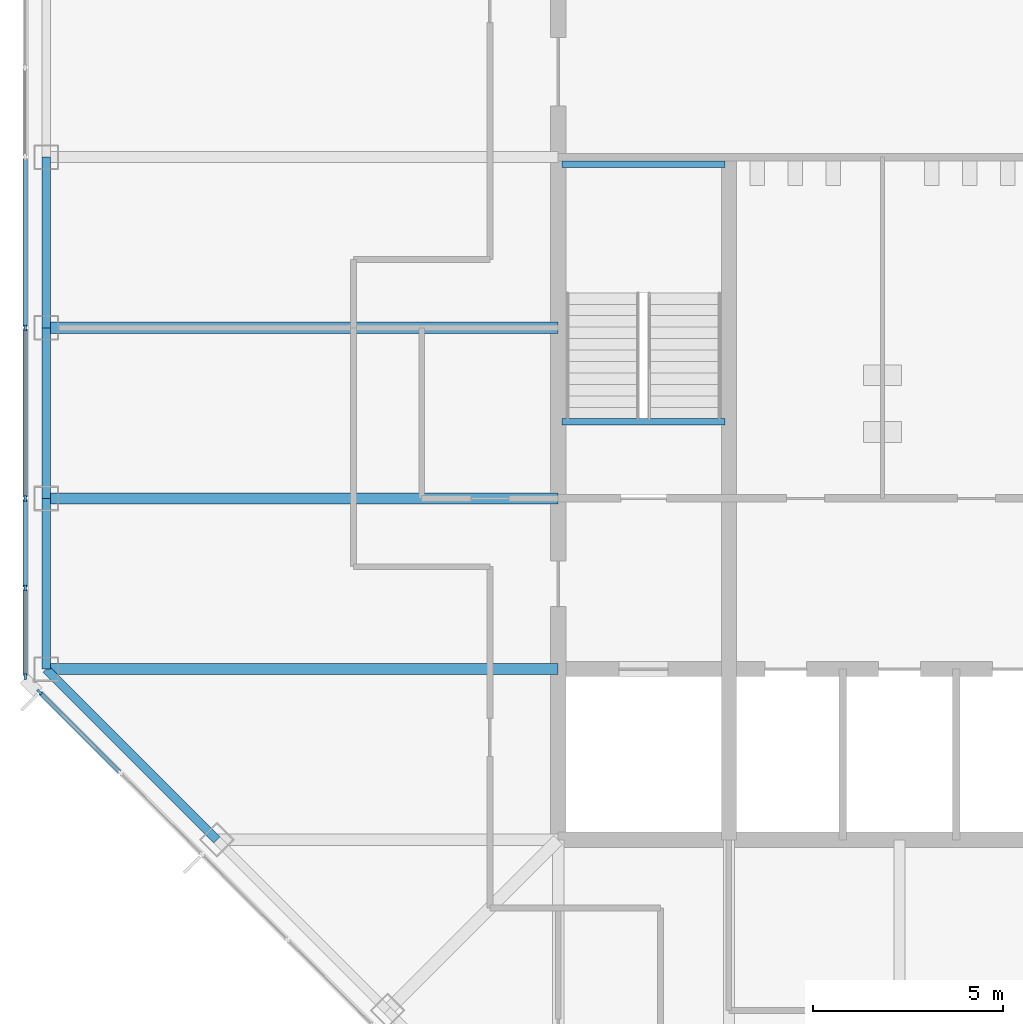
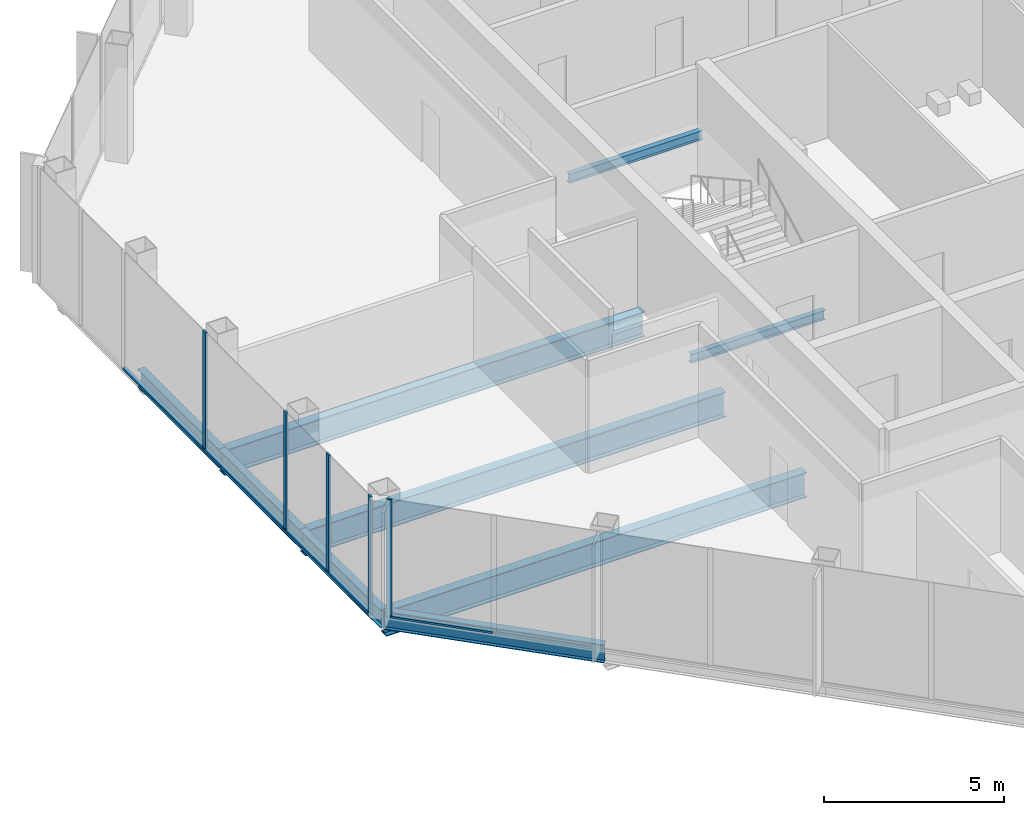
# One storey, part 3 of 13: 10 members, 9 beams, 2 elements without a shape of their own.
"""IFC4 building model written with IfcOpenShell, lengths in metres."""

from ifc_helpers import new_model, si_unit, direction, frame, origin, origin_2d, place, context, subcontext, project, spatial, rectangle, i_section, extrude, material, material_profile, profile_set, type_object, element, aggregate, save


model = new_model("IFC4")

# Units and contexts
model_context = context("Model", 3, precision=1e-05, world=origin(), true_north=direction((0.0, 1.0)))
body_context = subcontext(model_context, "Body", "Model", "MODEL_VIEW")
ifc_project = project(units=[si_unit("LENGTHUNIT", "METRE"), si_unit("AREAUNIT", "SQUARE_METRE"), si_unit("VOLUMEUNIT", "CUBIC_METRE"), si_unit("PLANEANGLEUNIT", "RADIAN"), si_unit("MASSUNIT", "GRAM", prefix="KILO")], contexts=[model_context])

# Site, building, storey
site_placement = place(None, origin())
site = spatial("IfcSite", under=ifc_project, at=site_placement, CompositionType="ELEMENT")
building_placement = place(site_placement, origin())
building = spatial("IfcBuilding", under=site, at=building_placement, Name="Corais Broadcast Tower", CompositionType="ELEMENT")
storey_placement = place(building_placement, frame((0.0, 0.0, 242.60009765625)))
storey = spatial("IfcBuildingStorey", under=building, at=storey_placement, Name="L56", CompositionType="ELEMENT", Elevation=242.60009765625)

# Beams
ifc_material_1 = material(Name="Steel ASTM A572 Grade 50", Category="steel")
ifc_material_profile_1 = material_profile(ifc_material_1, i_section(OverallWidth=0.2939453125, OverallDepth=0.85107421875, WebThickness=0.01611328125, FlangeThickness=0.02685546875, at=origin_2d()), Name="W840x226")
ifc_profile_set_1 = profile_set([ifc_material_profile_1], Name="Steel ASTM A572 Grade 50")
beam_type_1 = type_object("IfcBeamType", Name="Floor beam W840x226", PredefinedType="BEAM", material=ifc_profile_set_1)
for number, where, z_axis, x_axis, name in (
    (1, (0.0, 18.0, -0.585693359375), (1.0, 0.0, 0.0), (0.0, 1.0, 0.0), "B1 E/3 to E/6"),
    (2, (0.0, 22.5, -0.585693359375), (1.0, 0.0, 0.0), (0.0, 1.0, 0.0), "B1 F/3 to F/6"),
    (3, (0.0, 27.0, -0.585693359375), (1.0, 0.0, 0.0), (0.0, 1.0, 0.0), "B1 G/3 to G/6"),
):
    element("IfcBeam", number, at=place(storey_placement, frame(where, z_axis=z_axis, x_axis=x_axis)), inside=storey, type_object=beam_type_1, Name=name, PredefinedType="BEAM", context=body_context, shape_type="SweptSolid", body=[
        extrude(i_section(OverallWidth=0.2939453125, OverallDepth=0.85107421875, WebThickness=0.01611328125, FlangeThickness=0.02685546875, at=origin_2d()), origin(), (0.0, 0.0, 1.0), 13.5),
    ])
ifc_material_2 = material(Name="Steel ASTM A572 Grade 50", Category="steel")
ifc_material_profile_2 = material_profile(ifc_material_2, i_section(OverallWidth=0.1650390625, OverallDepth=0.31005859375, WebThickness=0.005859375, FlangeThickness=0.009765625, at=origin_2d()), Name="W310x38.7")
ifc_profile_set_2 = profile_set([ifc_material_profile_2], Name="Steel ASTM A572 Grade 50")
beam_type_2 = type_object("IfcBeamType", Name="Landing trimmer W310x38.7", PredefinedType="BEAM", material=ifc_profile_set_2)
for number, where, z_axis, x_axis, name in (
    (4, (13.60009765625, 24.52490234375, -0.35498046875), (1.0, 0.0, 0.0), (0.0, 1.0, 0.0), "LT1 stair A landing trimmer L56"),
    (5, (13.60009765625, 31.31005859375, 1.64501953125), (1.0, 0.0, 0.0), (0.0, 1.0, 0.0), "LT1 stair A half landing trimmer L56"),
):
    element("IfcBeam", number, at=place(storey_placement, frame(where, z_axis=z_axis, x_axis=x_axis)), inside=storey, type_object=beam_type_2, Name=name, PredefinedType="BEAM", context=body_context, shape_type="SweptSolid", body=[
        extrude(i_section(OverallWidth=0.1650390625, OverallDepth=0.31005859375, WebThickness=0.005859375, FlangeThickness=0.009765625, at=origin_2d()), origin(), (0.0, 0.0, 1.0), 4.2998046875),
    ])

# Curtain wall, member
ifc_material_3 = material(Name="Aluminium and glass", Category="aluminium")
curtain_wall_type = type_object("IfcCurtainWallType", Name="Unitised fritted curtain wall CW3", PredefinedType="NOTDEFINED", material=ifc_material_3)
curtain_wall_1_placement = place(storey_placement, origin())
curtain_wall_1 = element("IfcCurtainWall", 6, at=curtain_wall_1_placement, inside=storey, type_object=curtain_wall_type, Name="CW3 curtain wall L56 1", PredefinedType="NOTDEFINED")
ifc_material_4 = material(Name="Aluminium 6063-T6", Category="aluminium")
ifc_material_profile_3 = material_profile(ifc_material_4, rectangle(XDim=0.06494140625, YDim=0.159912109375, at=origin_2d()), Name="Mullion CW3 65x160")
ifc_profile_set_3 = profile_set([ifc_material_profile_3], Name="Aluminium 6063-T6")
member_type_1 = type_object("IfcMemberType", Name="Mullion CW3 65x160", PredefinedType="MULLION", material=ifc_profile_set_3)
member_1_placement = place(storey_placement, frame((-0.17333984375, 17.3955078125, 0.0), z_axis=(0.0, 0.0, 1.0), x_axis=(-0.707106781187, -0.707106781187, 0.0)))
member_1 = element("IfcMember", 7, at=member_1_placement, type_object=member_type_1, Name="CW3 mullion 9", PredefinedType="MULLION", context=body_context, shape_type="SweptSolid", body=[
    extrude(rectangle(XDim=0.06494140625, YDim=0.159912109375, at=origin_2d()), origin(), (0.0, 0.0, 1.0), 4.0),
])

# Curtain wall, members
curtain_wall_2_placement = place(storey_placement, origin())
curtain_wall_2 = element("IfcCurtainWall", 8, at=curtain_wall_2_placement, inside=storey, type_object=curtain_wall_type, Name="CW3 curtain wall L56 2", PredefinedType="NOTDEFINED")
member_2_placement = place(storey_placement, frame((-0.550048828125, 17.8046875, 0.0), z_axis=(0.0, 0.0, 1.0), x_axis=(-1.0, 0.0, 0.0)))
member_2 = element("IfcMember", 9, at=member_2_placement, type_object=member_type_1, Name="CW3 mullion 1", PredefinedType="MULLION", context=body_context, shape_type="SweptSolid", body=[
    extrude(rectangle(XDim=0.06494140625, YDim=0.159912109375, at=origin_2d()), origin(), (0.0, 0.0, 1.0), 4.0),
])
member_3_placement = place(storey_placement, frame((-0.550048828125, 20.135986328125, 0.0), z_axis=(0.0, 0.0, 1.0), x_axis=(-1.0, 0.0, 0.0)))
member_3 = element("IfcMember", 10, at=member_3_placement, type_object=member_type_1, Name="CW3 mullion 2", PredefinedType="MULLION", context=body_context, shape_type="SweptSolid", body=[
    extrude(rectangle(XDim=0.06494140625, YDim=0.159912109375, at=origin_2d()), origin(), (0.0, 0.0, 1.0), 4.0),
])
member_4_placement = place(storey_placement, frame((-0.550048828125, 22.5, 0.0), z_axis=(0.0, 0.0, 1.0), x_axis=(-1.0, 0.0, 0.0)))
member_4 = element("IfcMember", 11, at=member_4_placement, type_object=member_type_1, Name="CW3 mullion 3", PredefinedType="MULLION", context=body_context, shape_type="SweptSolid", body=[
    extrude(rectangle(XDim=0.06494140625, YDim=0.159912109375, at=origin_2d()), origin(), (0.0, 0.0, 1.0), 4.0),
])
member_5_placement = place(storey_placement, frame((-0.550048828125, 27.0, 0.0), z_axis=(0.0, 0.0, 1.0), x_axis=(-1.0, 0.0, 0.0)))
member_5 = element("IfcMember", 12, at=member_5_placement, type_object=member_type_1, Name="CW3 mullion 4", PredefinedType="MULLION", context=body_context, shape_type="SweptSolid", body=[
    extrude(rectangle(XDim=0.06494140625, YDim=0.159912109375, at=origin_2d()), origin(), (0.0, 0.0, 1.0), 4.0),
])

# Beams
ifc_material_5 = material(Name="Steel ASTM A572 Grade 50", Category="steel")
ifc_material_profile_4 = material_profile(ifc_material_5, i_section(OverallWidth=0.22998046875, OverallDepth=0.616943359375, WebThickness=0.01318359375, FlangeThickness=0.022216796875, at=origin_2d()), Name="W610x140")
ifc_profile_set_4 = profile_set([ifc_material_profile_4], Name="Steel ASTM A572 Grade 50")
beam_type_3 = type_object("IfcBeamType", Name="Spandrel W610x140", PredefinedType="BEAM", material=ifc_profile_set_4)
beam_placement = place(storey_placement, frame((0.0, 18.0, -0.468505859375), z_axis=(0.707106781187, -0.707106781187, 0.0), x_axis=(0.707106781187, 0.707106781187, 0.0)))
element("IfcBeam", 13, at=beam_placement, inside=storey, type_object=beam_type_3, Name="SB3 E/3 to D/4", PredefinedType="BEAM", context=body_context, shape_type="SweptSolid", body=[
    extrude(i_section(OverallWidth=0.22998046875, OverallDepth=0.616943359375, WebThickness=0.01318359375, FlangeThickness=0.022216796875, at=origin_2d()), origin(), (0.0, 0.0, 1.0), 6.364013671875),
])
for number, where, z_axis, x_axis, name in (
    (14, (0.0, 22.5, -0.468505859375), (0.0, -1.0, 0.0), (1.0, 0.0, 0.0), "SB3 F/3 to E/3"),
    (15, (0.0, 27.0, -0.468505859375), (0.0, -1.0, 0.0), (1.0, 0.0, 0.0), "SB3 G/3 to F/3"),
    (16, (0.0, 31.5, -0.468505859375), (0.0, -1.0, 0.0), (1.0, 0.0, 0.0), "SB3 H/3 to G/3"),
):
    element("IfcBeam", number, at=place(storey_placement, frame(where, z_axis=z_axis, x_axis=x_axis)), inside=storey, type_object=beam_type_3, Name=name, PredefinedType="BEAM", context=body_context, shape_type="SweptSolid", body=[
        extrude(i_section(OverallWidth=0.22998046875, OverallDepth=0.616943359375, WebThickness=0.01318359375, FlangeThickness=0.022216796875, at=origin_2d()), origin(), (0.0, 0.0, 1.0), 4.5),
    ])

# Member
ifc_material_6 = material(Name="Aluminium 6063-T6", Category="aluminium")
ifc_material_profile_5 = material_profile(ifc_material_6, rectangle(XDim=0.1201171875, YDim=0.06494140625, at=origin_2d()), Name="Transom CW3 65x120")
ifc_profile_set_5 = profile_set([ifc_material_profile_5], Name="Aluminium 6063-T6")
member_type_2 = type_object("IfcMemberType", Name="Transom CW3 65x120", PredefinedType="USERDEFINED", material=ifc_profile_set_5)
member_6_placement = place(storey_placement, frame((1.934326171875, 15.287841796875, 0.032470703125), z_axis=(-0.707106781187, 0.707106781187, 0.0), x_axis=(-0.707106781187, -0.707106781187, 0.0)))
member_6 = element("IfcMember", 17, at=member_6_placement, type_object=member_type_2, Name="CW3 transom 8.1", ObjectType="TRANSOM", PredefinedType="USERDEFINED", context=body_context, shape_type="SweptSolid", body=[
    extrude(rectangle(XDim=0.1201171875, YDim=0.06494140625, at=origin_2d()), origin(), (0.0, 0.0, 1.0), 2.9482421875),
])

aggregate(curtain_wall_1, [member_1, member_6])

member_7_placement = place(storey_placement, frame((-0.550048828125, 17.837158203125, 0.032470703125), z_axis=(0.0, 1.0, 0.0), x_axis=(-1.0, 0.0, 0.0)))
member_7 = element("IfcMember", 18, at=member_7_placement, type_object=member_type_2, Name="CW3 transom 1.1", ObjectType="TRANSOM", PredefinedType="USERDEFINED", context=body_context, shape_type="SweptSolid", body=[
    extrude(rectangle(XDim=0.1201171875, YDim=0.06494140625, at=origin_2d()), origin(), (0.0, 0.0, 1.0), 2.266357421875),
])

member_8_placement = place(storey_placement, frame((-0.550048828125, 20.168701171875, 0.032470703125), z_axis=(0.0, 1.0, 0.0), x_axis=(-1.0, 0.0, 0.0)))
member_8 = element("IfcMember", 19, at=member_8_placement, type_object=member_type_2, Name="CW3 transom 2.1", ObjectType="TRANSOM", PredefinedType="USERDEFINED", context=body_context, shape_type="SweptSolid", body=[
    extrude(rectangle(XDim=0.1201171875, YDim=0.06494140625, at=origin_2d()), origin(), (0.0, 0.0, 1.0), 2.298828125),
])

member_9_placement = place(storey_placement, frame((-0.550048828125, 22.532470703125, 0.032470703125), z_axis=(0.0, 1.0, 0.0), x_axis=(-1.0, 0.0, 0.0)))
member_9 = element("IfcMember", 20, at=member_9_placement, type_object=member_type_2, Name="CW3 transom 3.1", ObjectType="TRANSOM", PredefinedType="USERDEFINED", context=body_context, shape_type="SweptSolid", body=[
    extrude(rectangle(XDim=0.1201171875, YDim=0.06494140625, at=origin_2d()), origin(), (0.0, 0.0, 1.0), 4.43505859375),
])

member_10_placement = place(storey_placement, frame((-0.550048828125, 27.032470703125, 0.032470703125), z_axis=(0.0, 1.0, 0.0), x_axis=(-1.0, 0.0, 0.0)))
member_10 = element("IfcMember", 21, at=member_10_placement, type_object=member_type_2, Name="CW3 transom 4.1", ObjectType="TRANSOM", PredefinedType="USERDEFINED", context=body_context, shape_type="SweptSolid", body=[
    extrude(rectangle(XDim=0.1201171875, YDim=0.06494140625, at=origin_2d()), origin(), (0.0, 0.0, 1.0), 4.43505859375),
])

aggregate(curtain_wall_2, [member_2, member_3, member_4, member_5, member_7, member_8, member_9, member_10])

save(model, "model.ifc")
